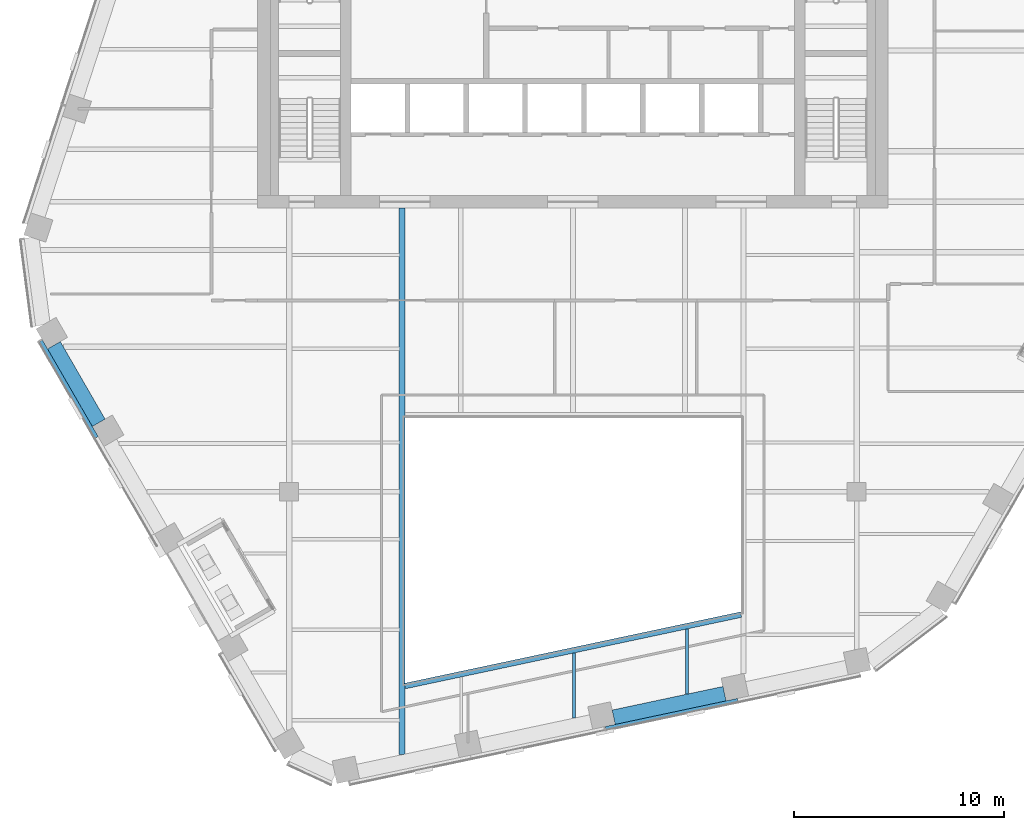
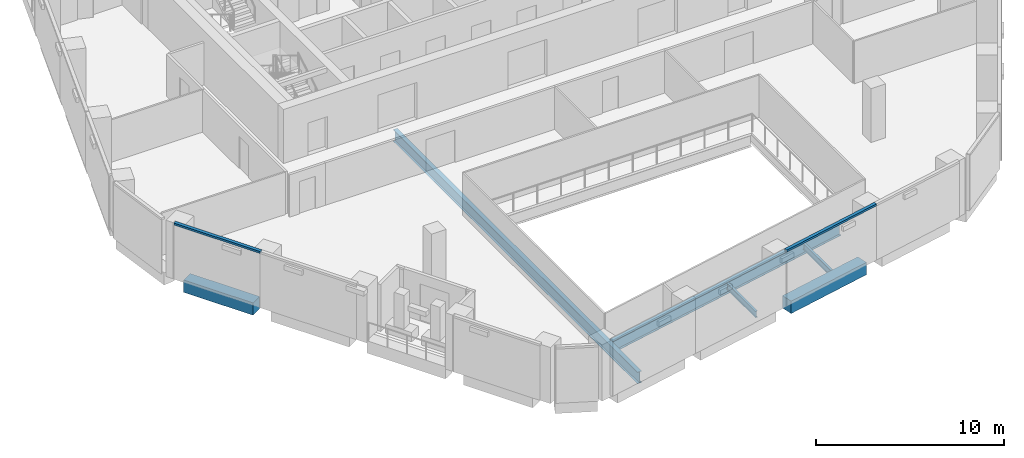
# One storey, part 3 of 25: 6 beams, 2 members, 2 elements without a shape of their own.
"""IFC4 building model written with IfcOpenShell, lengths in metres."""

import ifcopenshell
import ifcopenshell.guid

model = None  # the IFC model being written
_history = None  # IfcOwnerHistory: only IFC2X3 demands one
_inside = {}  # id of a spatial element -> (the spatial element, [elements in it])
_under = {}  # id of a project, library or spatial element -> (it, [spatial elements below it])
_declared = {}  # id of a project -> (the project, [libraries it declares])
_typed = {}  # id of a type object -> (the type object, [elements of that type])
_made_of = {}  # id of a material, layer set ... -> (it, [elements and type objects made of it])


def new_model(schema):
    """Start an empty IFC model of exactly this schema.

    Asked for "IFC4X3", IfcOpenShell would pick the latest addendum, in which some entities
    have other attributes; the version numbers below select the first issue.
    IFC2X3 requires an IfcOwnerHistory on every rooted entity: one is made here for all.
    """
    global model, _history
    if schema == "IFC4X3":
        model = ifcopenshell.file(schema_version=(4, 3, 0, 0))
    else:
        model = ifcopenshell.file(schema=schema)
    _inside.clear()
    _under.clear()
    _declared.clear()
    _typed.clear()
    _made_of.clear()
    _history = None
    if model.schema == "IFC2X3":
        org = make("IfcOrganization", Name="unknown")
        user = make(
            "IfcPersonAndOrganization",
            ThePerson=make("IfcPerson", FamilyName="unknown"),
            TheOrganization=org,
        )
        app = make(
            "IfcApplication",
            ApplicationDeveloper=org,
            Version="unknown",
            ApplicationFullName="unknown",
            ApplicationIdentifier="unknown",
        )
        _history = make(
            "IfcOwnerHistory",
            OwningUser=user,
            OwningApplication=app,
            ChangeAction="ADDED",
            CreationDate=0,
        )
    return model


def make(cls, **values):
    """One entity of the class cls with the attributes given. An attribute that is None is left unset."""
    return model.create_entity(
        cls, **{name: value for name, value in values.items() if value is not None}
    )


def rooted(cls, **values):
    """An entity with a GlobalId (a new one), such as an element, a storey or a relation."""
    return make(cls, GlobalId=ifcopenshell.guid.new(), OwnerHistory=_history, **values)


def si_unit(unit_type, name, prefix=None):
    """IfcSIUnit, for example si_unit("LENGTHUNIT", "METRE", prefix="MILLI")."""
    return make("IfcSIUnit", UnitType=unit_type, Prefix=prefix, Name=name)


def assignment(units):
    """IfcUnitAssignment: the units of a project."""
    return None if units is None else make("IfcUnitAssignment", Units=units)


def point(xyz):
    """IfcCartesianPoint."""
    return None if xyz is None else make("IfcCartesianPoint", Coordinates=xyz)


def direction(xyz):
    """IfcDirection."""
    return None if xyz is None else make("IfcDirection", DirectionRatios=xyz)


def frame(location, z_axis=None, x_axis=None):
    """IfcAxis2Placement3D, a coordinate frame: its origin and axes. An axis left out is left unset."""
    return make(
        "IfcAxis2Placement3D",
        Location=point(location),
        Axis=direction(z_axis),
        RefDirection=direction(x_axis),
    )


def frame_2d(location, x_axis=None):
    """IfcAxis2Placement2D, a coordinate frame in the plane: its origin and x axis."""
    return make(
        "IfcAxis2Placement2D", Location=point(location), RefDirection=direction(x_axis)
    )


def origin():
    """The frame at (0, 0, 0) with its axes left unset."""
    return frame((0.0, 0.0, 0.0))


def origin_2d():
    """The frame at (0, 0) in the plane with its x axis left unset."""
    return frame_2d((0.0, 0.0))


def place(relative_to, where):
    """IfcLocalPlacement: puts the frame where relative to a parent placement (None: the world)."""
    return make(
        "IfcLocalPlacement", PlacementRelTo=relative_to, RelativePlacement=where
    )


def context(
    kind, dimensions, precision=None, world=None, true_north=None, identifier=None
):
    """IfcGeometricRepresentationContext, for example the 3D "Model" context."""
    return make(
        "IfcGeometricRepresentationContext",
        ContextIdentifier=identifier,
        ContextType=kind,
        CoordinateSpaceDimension=dimensions,
        Precision=precision,
        WorldCoordinateSystem=world,
        TrueNorth=true_north,
    )


def subcontext(parent, identifier, kind, view, scale=None):
    """IfcGeometricRepresentationSubContext, for example "Body" below "Model"."""
    return make(
        "IfcGeometricRepresentationSubContext",
        ContextIdentifier=identifier,
        ContextType=kind,
        ParentContext=parent,
        TargetScale=scale,
        TargetView=view,
    )


def project(units=None, contexts=None):
    """IfcProject with its units and contexts."""
    return rooted(
        "IfcProject",
        Name="project",
        RepresentationContexts=contexts,
        UnitsInContext=assignment(units),
    )


def spatial(cls, under=None, at=None, **own):
    """A site, building, storey or space (cls), placed at a placement, below another one or the project."""
    s = rooted(cls, ObjectPlacement=at, **own)
    if under is not None:
        _under.setdefault(under.id(), (under, []))[1].append(s)
    return s


def profile(cls, at=None, kind="AREA", **sizes):
    """A parametric profile (cls). Its sizes go by their IFC names, for example OverallWidth=200.0."""
    return make(cls, ProfileType=kind, Position=at, **sizes)


def rectangle(**sizes):
    """IfcRectangleProfileDef."""
    return profile("IfcRectangleProfileDef", **sizes)


def i_section(**sizes):
    """IfcIShapeProfileDef."""
    return profile("IfcIShapeProfileDef", **sizes)


def extrude(swept, where, along, depth):
    """IfcExtrudedAreaSolid: the profile swept, set in the frame where, extruded along a direction by depth."""
    return make(
        "IfcExtrudedAreaSolid",
        SweptArea=swept,
        Position=where,
        ExtrudedDirection=direction(along),
        Depth=depth,
    )


def shape(context_of_items, identifier, shape_type, items):
    """IfcShapeRepresentation: the items that make up one representation, for example the "Body"."""
    return make(
        "IfcShapeRepresentation",
        ContextOfItems=context_of_items,
        RepresentationIdentifier=identifier,
        RepresentationType=shape_type,
        Items=items,
    )


def material(Name=None, Category=None):
    """IfcMaterial."""
    return make("IfcMaterial", Name=Name, Category=Category)


def layer(
    of_material, thickness, ventilated=None, Name=None, Category=None, Priority=None
):
    """IfcMaterialLayer: one layer of a wall or slab, of a material (None: an air gap)."""
    return make(
        "IfcMaterialLayer",
        Material=of_material,
        LayerThickness=thickness,
        IsVentilated=ventilated,
        Name=Name,
        Category=Category,
        Priority=Priority,
    )


def layer_set(layers, Name=None):
    """IfcMaterialLayerSet."""
    return make("IfcMaterialLayerSet", MaterialLayers=layers, LayerSetName=Name)


def material_profile(
    of_material, cross_section, Name=None, Category=None, Priority=None
):
    """IfcMaterialProfile: a cross section and its material."""
    return make(
        "IfcMaterialProfile",
        Name=Name,
        Material=of_material,
        Profile=cross_section,
        Priority=Priority,
        Category=Category,
    )


def profile_set(profiles, Name=None, composite=None):
    """IfcMaterialProfileSet."""
    return make(
        "IfcMaterialProfileSet",
        Name=Name,
        MaterialProfiles=profiles,
        CompositeProfile=composite,
    )


def made_of(thing, what):
    """Note that an element or type object is made of a material, layer set ...; save() writes the relation."""
    if what is not None:
        _made_of.setdefault(what.id(), (what, []))[1].append(thing)
    return thing


def type_object(cls, material=None, **own):
    """A type object (cls), such as IfcWallType, which elements share."""
    return made_of(rooted(cls, **own), material)


def element(
    cls,
    number,
    at=None,
    inside=None,
    cuts=None,
    type_object=None,
    material=None,
    context=None,
    identifier="Body",
    shape_type=None,
    held_by="IfcProductDefinitionShape",
    body=None,
    shapes=None,
    **own,
):
    """One element of the class cls, such as IfcWall. Its Tag is "e" and its number.

    at: its placement. inside: the storey or other place that contains it. cuts: it is an
    opening in that element (IfcRelVoidsElement). A single representation is given by context,
    identifier, shape_type and body (its items); several are given by shapes. held_by: the class
    of the entity that holds the representations. save() writes the other relations.
    """
    e = rooted(cls, Tag="e%d" % number, ObjectPlacement=at, **own)
    if body is not None:
        shapes = [shape(context, identifier, shape_type, body)]
    if shapes is not None:
        e.Representation = make(held_by, Representations=shapes)
    if inside is not None:
        _inside.setdefault(inside.id(), (inside, []))[1].append(e)
    if cuts is not None:
        rooted(
            "IfcRelVoidsElement", RelatingBuildingElement=cuts, RelatedOpeningElement=e
        )
    if type_object is not None:
        _typed.setdefault(type_object.id(), (type_object, []))[1].append(e)
    return made_of(e, material)


def aggregate(whole, parts):
    """IfcRelAggregates: a whole, such as a stair, and the parts it consists of."""
    return rooted("IfcRelAggregates", RelatingObject=whole, RelatedObjects=parts)


def save(model, path):
    """Write the relations noted so far, then the file.

    IfcRelAggregates (storeys below a building ...), IfcRelContainedInSpatialStructure (elements
    in a storey), IfcRelDefinesByType, IfcRelAssociatesMaterial and IfcRelDeclares: one each for
    every whole, place, type object, material and project.
    """
    for whole, parts in _under.values():
        aggregate(whole, parts)
    for where, things in _inside.values():
        rooted(
            "IfcRelContainedInSpatialStructure",
            RelatedElements=things,
            RelatingStructure=where,
        )
    for kind, things in _typed.values():
        rooted("IfcRelDefinesByType", RelatedObjects=things, RelatingType=kind)
    for what, things in _made_of.values():
        rooted("IfcRelAssociatesMaterial", RelatedObjects=things, RelatingMaterial=what)
    for by, libraries in _declared.values():
        rooted("IfcRelDeclares", RelatingContext=by, RelatedDefinitions=libraries)
    model.write(path)


model = new_model("IFC4")

# Units and contexts
model_context = context("Model", 3, precision=1e-05, world=origin(), true_north=direction((0.0, 1.0)))
body_context = subcontext(model_context, "Body", "Model", "MODEL_VIEW")
ifc_project = project(units=[si_unit("LENGTHUNIT", "METRE"), si_unit("AREAUNIT", "SQUARE_METRE"), si_unit("VOLUMEUNIT", "CUBIC_METRE"), si_unit("PLANEANGLEUNIT", "RADIAN"), si_unit("MASSUNIT", "GRAM", prefix="KILO")], contexts=[model_context])

# Site, building, storey
site_placement = place(None, origin())
site = spatial("IfcSite", under=ifc_project, at=site_placement, CompositionType="ELEMENT")
building_placement = place(site_placement, origin())
building = spatial("IfcBuilding", under=site, at=building_placement, Name="Isthmus Gate Tower", CompositionType="ELEMENT")
storey_placement = place(building_placement, frame((0.0, 0.0, 249.14990234375)))
storey = spatial("IfcBuildingStorey", under=building, at=storey_placement, Name="L63", CompositionType="ELEMENT", Elevation=249.14990234375)

# Curtain wall, member
ifc_material_1 = material(Name="Aluminium, pale champagne anodised", Category="aluminium")
ifc_layer = layer(ifc_material_1, 0.199951171875)
ifc_layer_set = layer_set([ifc_layer], Name="CW-1 UNITISED CURTAIN WALL 200 DEEP")
curtain_wall_type = type_object("IfcCurtainWallType", Name="CW-1 UNITISED CURTAIN WALL 200 DEEP", PredefinedType="NOTDEFINED", material=ifc_layer_set)
curtain_wall_1_placement = place(storey_placement, origin())
curtain_wall_1 = element("IfcCurtainWall", 1, at=curtain_wall_1_placement, inside=storey, type_object=curtain_wall_type, Name="CW-1 SW L63", PredefinedType="NOTDEFINED")
ifc_material_2 = material(Name="Aluminium, pale champagne anodised", Category="aluminium")
ifc_material_profile_1 = material_profile(ifc_material_2, rectangle(XDim=0.199951171875, YDim=0.1298828125, at=origin_2d()), Name="200x130")
ifc_profile_set_1 = profile_set([ifc_material_profile_1], Name="Aluminium, pale champagne anodised")
member_type = type_object("IfcMemberType", Name="CW-1 TRANSOM 200 X 130", PredefinedType="USERDEFINED", material=ifc_profile_set_1)
member_1_placement = place(storey_placement, frame((-25.327880859375, -6.3310546875, 3.585205078125), z_axis=(0.500022807565, -0.86601223543, 0.0), x_axis=(0.86601223543, 0.500022807565, 0.0)))
member_1 = element("IfcMember", 2, at=member_1_placement, type_object=member_type, Name="CW-1 transom", ObjectType="TRANSOM", PredefinedType="USERDEFINED", context=body_context, shape_type="SweptSolid", body=[
    extrude(rectangle(XDim=0.199951171875, YDim=0.1298828125, at=origin_2d()), origin(), (0.0, 0.0, 1.0), 5.300537109375),
])
aggregate(curtain_wall_1, [member_1])

curtain_wall_2_placement = place(storey_placement, origin())
curtain_wall_2 = element("IfcCurtainWall", 3, at=curtain_wall_2_placement, inside=storey, type_object=curtain_wall_type, Name="CW-1 S L63", PredefinedType="NOTDEFINED")
member_2_placement = place(storey_placement, frame((1.5537109375, -24.77197265625, 3.585205078125), z_axis=(0.978150457162, 0.207898251926, 0.0), x_axis=(-0.207898251926, 0.978150457162, 0.0)))
member_2 = element("IfcMember", 4, at=member_2_placement, type_object=member_type, Name="CW-1 transom", ObjectType="TRANSOM", PredefinedType="USERDEFINED", context=body_context, shape_type="SweptSolid", body=[
    extrude(rectangle(XDim=0.199951171875, YDim=0.1298828125, at=origin_2d()), origin(), (0.0, 0.0, 1.0), 6.431884765625),
])
aggregate(curtain_wall_2, [member_2])

# Beams
ifc_material_3 = material(Name="Concrete f'c 50 MPa", Category="concrete")
ifc_material_profile_2 = material_profile(ifc_material_3, rectangle(XDim=0.699951171875, YDim=0.800048828125, at=origin_2d()), Name="RC 700X800")
ifc_profile_set_2 = profile_set([ifc_material_profile_2], Name="Concrete f'c 50 MPa")
beam_type_1 = type_object("IfcBeamType", Name="RC SPANDREL 700 X 800", PredefinedType="SPANDREL", material=ifc_profile_set_2)
beam_1_placement = place(storey_placement, frame((7.21337890625, -23.10888671875, -0.39990234375), z_axis=(-0.978144348563, -0.207926990492, 0.0), x_axis=(0.207926990492, -0.978144348563, 0.0)))
element("IfcBeam", 5, at=beam_1_placement, inside=storey, type_object=beam_type_1, Name="str-spandrel-L63-12", PredefinedType="SPANDREL", context=body_context, shape_type="SweptSolid", body=[
    extrude(rectangle(XDim=0.699951171875, YDim=0.800048828125, at=origin_2d()), origin(), (0.0, 0.0, 1.0), 5.391845703125),
])
beam_2_placement = place(storey_placement, frame((-22.562744140625, -10.22021484375, -0.39990234375), z_axis=(-0.499996907167, 0.866027189425, 0.0), x_axis=(-0.866027189425, -0.499996907167, 0.0)))
element("IfcBeam", 6, at=beam_2_placement, inside=storey, type_object=beam_type_1, Name="str-spandrel-L63-19", PredefinedType="SPANDREL", context=body_context, shape_type="SweptSolid", body=[
    extrude(rectangle(XDim=0.699951171875, YDim=0.800048828125, at=origin_2d()), origin(), (0.0, 0.0, 1.0), 4.2607421875),
])
ifc_material_4 = material(Name="Structural steel ASTM A992 Gr 50", Category="steel")
ifc_material_profile_3 = material_profile(ifc_material_4, i_section(OverallWidth=0.1396484375, OverallDepth=0.4033203125, WebThickness=0.00634765625, FlangeThickness=0.010986328125, at=origin_2d()), Name="W16X31")
ifc_profile_set_3 = profile_set([ifc_material_profile_3], Name="Structural steel ASTM A992 Gr 50")
beam_type_2 = type_object("IfcBeamType", Name="STEEL FLOOR BEAM W16X31", PredefinedType="JOIST", material=ifc_profile_set_3)
for number, where, z_axis, x_axis, name in (
    (7, (0.05712890625, -24.272216796875, -0.3515625), (0.0, 1.0, 0.0), (-1.0, 0.0, 0.0), "str-beam-L63-09-01"),
    (8, (5.428466796875, -23.13037109375, -0.3515625), (0.0, 1.0, 0.0), (-1.0, 0.0, 0.0), "str-beam-L63-09-02"),
):
    element("IfcBeam", number, at=place(storey_placement, frame(where, z_axis=z_axis, x_axis=x_axis)), inside=storey, type_object=beam_type_2, Name=name, PredefinedType="JOIST", context=body_context, shape_type="SweptSolid", body=[
        extrude(i_section(OverallWidth=0.1396484375, OverallDepth=0.4033203125, WebThickness=0.00634765625, FlangeThickness=0.010986328125, at=origin_2d()), origin(), (0.0, 0.0, 1.0), 3.10107421875),
    ])
ifc_material_5 = material(Name="Structural steel ASTM A992 Gr 50", Category="steel")
ifc_material_profile_4 = material_profile(ifc_material_5, i_section(OverallWidth=0.2666015625, OverallDepth=0.7587890625, WebThickness=0.014404296875, FlangeThickness=0.01904296875, at=origin_2d()), Name="W30X108")
ifc_profile_set_4 = profile_set([ifc_material_profile_4], Name="Structural steel ASTM A992 Gr 50")
beam_type_3 = type_object("IfcBeamType", Name="STEEL TRIMMER W30X108", PredefinedType="BEAM", material=ifc_profile_set_4)
beam_3_placement = place(storey_placement, frame((-8.0, -22.747314453125, -0.529296875), z_axis=(0.978147924985, 0.20791016533, 0.0), x_axis=(-0.20791016533, 0.978147924985, 0.0)))
element("IfcBeam", 9, at=beam_3_placement, inside=storey, type_object=beam_type_3, Name="str-trimmer-L63-03", PredefinedType="BEAM", context=body_context, shape_type="SweptSolid", body=[
    extrude(i_section(OverallWidth=0.2666015625, OverallDepth=0.7587890625, WebThickness=0.014404296875, FlangeThickness=0.01904296875, at=origin_2d()), origin(), (0.0, 0.0, 1.0), 16.357421875),
])
ifc_material_6 = material(Name="Structural steel ASTM A992 Gr 50", Category="steel")
ifc_material_profile_5 = material_profile(ifc_material_6, i_section(OverallWidth=0.263427734375, OverallDepth=0.749267578125, WebThickness=0.0126953125, FlangeThickness=0.015869140625, at=origin_2d()), Name="W30X90")
ifc_profile_set_5 = profile_set([ifc_material_profile_5], Name="Structural steel ASTM A992 Gr 50")
beam_type_4 = type_object("IfcBeamType", Name="STEEL TRIMMER W30X90", PredefinedType="BEAM", material=ifc_profile_set_5)
beam_4_placement = place(storey_placement, frame((-8.1318359375, 0.0, -0.524658203125), z_axis=(0.0, -1.0, 0.0), x_axis=(1.0, 0.0, 0.0)))
element("IfcBeam", 10, at=beam_4_placement, inside=storey, type_object=beam_type_4, Name="str-trimmer-L63-02", PredefinedType="BEAM", context=body_context, shape_type="SweptSolid", body=[
    extrude(i_section(OverallWidth=0.263427734375, OverallDepth=0.749267578125, WebThickness=0.0126953125, FlangeThickness=0.015869140625, at=origin_2d()), origin(), (0.0, 0.0, 1.0), 26.012939453125),
])

save(model, "model.ifc")
